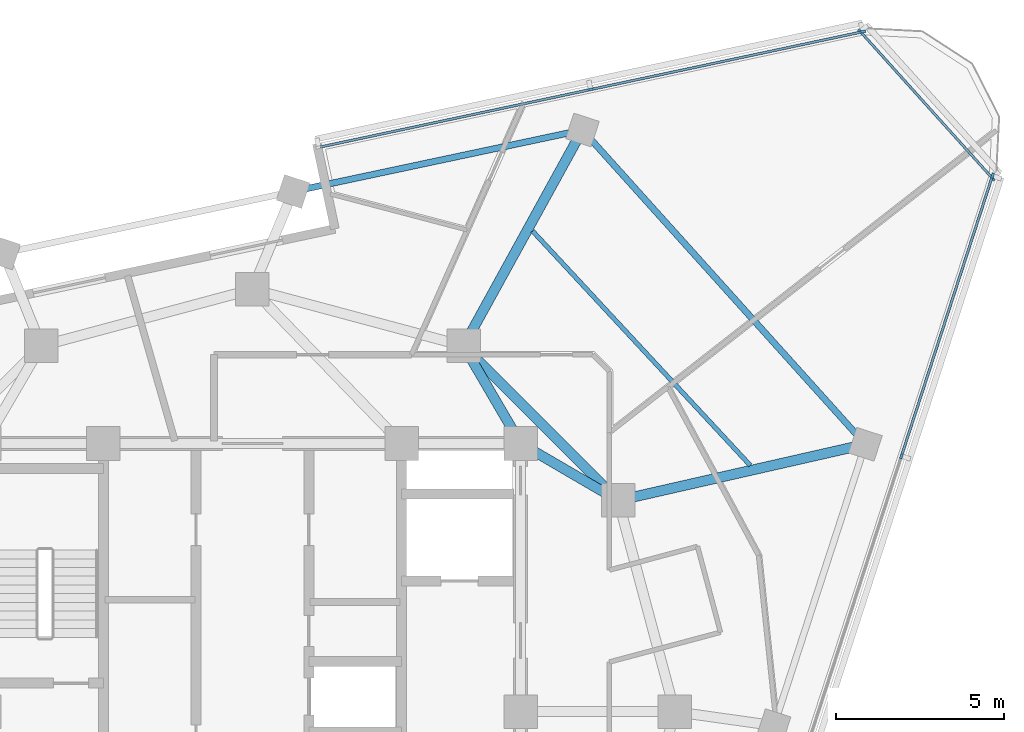
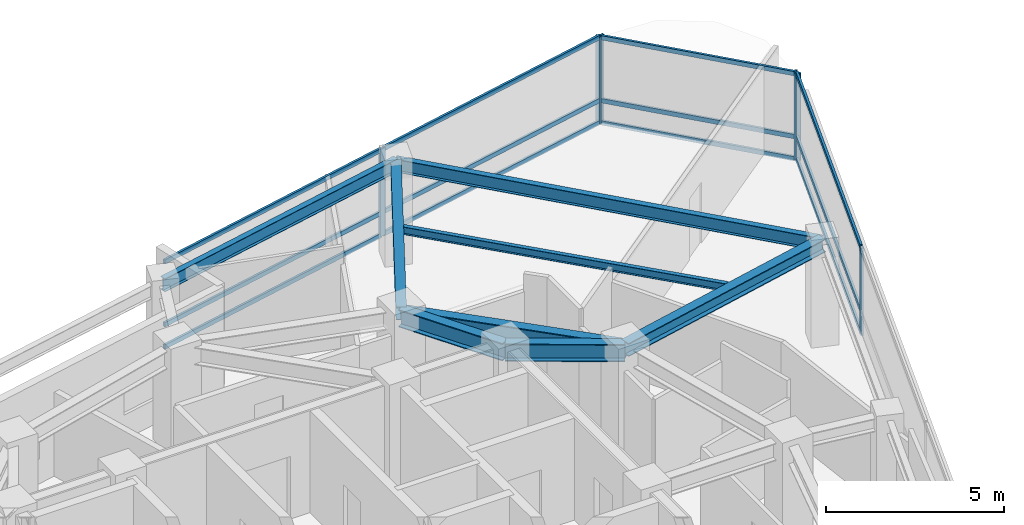
# One storey, part 6 of 15: 18 members, 8 beams, 3 elements without a shape of their own.
"""IFC4 building model written with IfcOpenShell, lengths in metres."""

from ifc_helpers import new_model, si_unit, direction, frame, origin, origin_2d, place, context, subcontext, project, spatial, rectangle, i_section, extrude, material, layer, layer_set, material_profile, profile_set, type_object, element, aggregate, save


model = new_model("IFC4")

# Units and contexts
model_context = context("Model", 3, precision=1e-05, world=origin(), true_north=direction((0.0, 1.0)))
body_context = subcontext(model_context, "Body", "Model", "MODEL_VIEW")
ifc_project = project(units=[si_unit("LENGTHUNIT", "METRE"), si_unit("AREAUNIT", "SQUARE_METRE"), si_unit("VOLUMEUNIT", "CUBIC_METRE"), si_unit("PLANEANGLEUNIT", "RADIAN"), si_unit("MASSUNIT", "GRAM", prefix="KILO")], contexts=[model_context])

# Site, building, storey
site_placement = place(None, origin())
site = spatial("IfcSite", under=ifc_project, at=site_placement, CompositionType="ELEMENT")
building_placement = place(site_placement, origin())
building = spatial("IfcBuilding", under=site, at=building_placement, Name="Terralouvre Media Tower", CompositionType="ELEMENT")
storey_placement = place(building_placement, frame((0.0, 0.0, 301.699951171875)))
storey = spatial("IfcBuildingStorey", under=building, at=storey_placement, Name="L78", CompositionType="ELEMENT", Elevation=301.699951171875)

# Beam
ifc_material_1 = material(Name="Structural steel S355J2", Category="steel")
ifc_material_profile_1 = material_profile(ifc_material_1, i_section(OverallWidth=0.135009765625, OverallDepth=0.27001953125, WebThickness=0.006591796875, FlangeThickness=0.01025390625, at=origin_2d()), Name="IPE 270")
ifc_profile_set_1 = profile_set([ifc_material_profile_1], Name="Structural steel S355J2")
beam_type_1 = type_object("IfcBeamType", Name="Composite Floor Joist J-IPE270 (IPE 270)", PredefinedType="JOIST", material=ifc_profile_set_1)
beam_1_placement = place(storey_placement, frame((14.85107421875, 7.34716796875, 3.364990234375), z_axis=(-0.680613949102, 0.732642240311, 0.0), x_axis=(-0.732642240311, -0.680613949102, 0.0)))
element("IfcBeam", 1, at=beam_1_placement, inside=storey, type_object=beam_type_1, Name="L78 Framing Beam JT-L78-04", PredefinedType="JOIST", context=body_context, shape_type="SweptSolid", body=[
    extrude(i_section(OverallWidth=0.135009765625, OverallDepth=0.27001953125, WebThickness=0.006591796875, FlangeThickness=0.01025390625, at=origin_2d()), origin(), (0.0, 0.0, 1.0), 9.54443359375),
])

# Curtain wall, members
ifc_material_2 = material(Name="Low-iron laminated double glazing with solar-control coating", Category="glass")
ifc_layer_1 = layer(ifc_material_2, 0.1650390625, Name="Faceted Glass-Point Crown Curtain Wall CW-06")
ifc_layer_set_1 = layer_set([ifc_layer_1], Name="Low-iron laminated double glazing with solar-control coating")
curtain_wall_type_1 = type_object("IfcCurtainWallType", Name="Faceted Glass-Point Crown Curtain Wall CW-06", PredefinedType="NOTDEFINED", material=ifc_layer_set_1)
curtain_wall_1_placement = place(storey_placement, origin())
curtain_wall_1 = element("IfcCurtainWall", 2, at=curtain_wall_1_placement, inside=storey, type_object=curtain_wall_type_1, Name="L78 Facade Curtain Wall F0", PredefinedType="NOTDEFINED")
ifc_material_3 = material(Name="Anodised extruded aluminium 6063-T6", Category="aluminium")
ifc_material_profile_2 = material_profile(ifc_material_3, rectangle(XDim=0.074951171875, YDim=0.14990234375, at=origin_2d()), Name="ALU 75x150")
ifc_profile_set_2 = profile_set([ifc_material_profile_2], Name="Anodised extruded aluminium 6063-T6")
member_type_1 = type_object("IfcMemberType", Name="Curtain-Wall Horizontal Transom TR-150", PredefinedType="USERDEFINED", material=ifc_profile_set_2)
member_1_placement = place(storey_placement, frame((19.372314453125, 7.662109375, 0.03759765625), z_axis=(0.309004958377, 0.951060426944, 0.0), x_axis=(-0.951060426944, 0.309004958377, 0.0)))
member_1 = element("IfcMember", 3, at=member_1_placement, type_object=member_type_1, Name="CW-06 transom 5.1", ObjectType="TRANSOM", PredefinedType="USERDEFINED", context=body_context, shape_type="SweptSolid", body=[
    extrude(rectangle(XDim=0.074951171875, YDim=0.14990234375, at=origin_2d()), origin(), (0.0, 0.0, 1.0), 8.71142578125),
])
member_2_placement = place(storey_placement, frame((19.372314453125, 7.662109375, 0.800048828125), z_axis=(0.309004958377, 0.951060426944, 0.0), x_axis=(-0.951060426944, 0.309004958377, 0.0)))
member_2 = element("IfcMember", 4, at=member_2_placement, type_object=member_type_1, Name="CW-06 transom 5.2", ObjectType="TRANSOM", PredefinedType="USERDEFINED", context=body_context, shape_type="SweptSolid", body=[
    extrude(rectangle(XDim=0.074951171875, YDim=0.14990234375, at=origin_2d()), origin(), (0.0, 0.0, 1.0), 8.71142578125),
])
member_3_placement = place(storey_placement, frame((19.372314453125, 7.662109375, 2.962646484375), z_axis=(0.309004958377, 0.951060426944, 0.0), x_axis=(-0.951060426944, 0.309004958377, 0.0)))
member_3 = element("IfcMember", 5, at=member_3_placement, type_object=member_type_1, Name="CW-06 transom 5.3", ObjectType="TRANSOM", PredefinedType="USERDEFINED", context=body_context, shape_type="SweptSolid", body=[
    extrude(rectangle(XDim=0.074951171875, YDim=0.14990234375, at=origin_2d()), origin(), (0.0, 0.0, 1.0), 8.71142578125),
])

curtain_wall_2_placement = place(storey_placement, origin())
curtain_wall_2 = element("IfcCurtainWall", 6, at=curtain_wall_2_placement, inside=storey, type_object=curtain_wall_type_1, Name="L78 Left Flank Curtain Wall F1", PredefinedType="NOTDEFINED")
member_4_placement = place(storey_placement, frame((18.166259765625, 20.2763671875, 0.03759765625), z_axis=(-0.978147598799, -0.207911699918, 0.0), x_axis=(0.207911699918, -0.978147598799, 0.0)))
member_4 = element("IfcMember", 7, at=member_4_placement, type_object=member_type_1, Name="CW-06 transom 1.1", ObjectType="TRANSOM", PredefinedType="USERDEFINED", context=body_context, shape_type="SweptSolid", body=[
    extrude(rectangle(XDim=0.074951171875, YDim=0.14990234375, at=origin_2d()), origin(), (0.0, 0.0, 1.0), 8.217529296875),
])
member_5_placement = place(storey_placement, frame((18.166259765625, 20.2763671875, 0.800048828125), z_axis=(-0.978147598799, -0.207911699918, 0.0), x_axis=(0.207911699918, -0.978147598799, 0.0)))
member_5 = element("IfcMember", 8, at=member_5_placement, type_object=member_type_1, Name="CW-06 transom 1.2", ObjectType="TRANSOM", PredefinedType="USERDEFINED", context=body_context, shape_type="SweptSolid", body=[
    extrude(rectangle(XDim=0.074951171875, YDim=0.14990234375, at=origin_2d()), origin(), (0.0, 0.0, 1.0), 8.217529296875),
])
member_6_placement = place(storey_placement, frame((18.166259765625, 20.2763671875, 2.962646484375), z_axis=(-0.978147598799, -0.207911699918, 0.0), x_axis=(0.207911699918, -0.978147598799, 0.0)))
member_6 = element("IfcMember", 9, at=member_6_placement, type_object=member_type_1, Name="CW-06 transom 1.3", ObjectType="TRANSOM", PredefinedType="USERDEFINED", context=body_context, shape_type="SweptSolid", body=[
    extrude(rectangle(XDim=0.074951171875, YDim=0.14990234375, at=origin_2d()), origin(), (0.0, 0.0, 1.0), 8.217529296875),
])
member_7_placement = place(storey_placement, frame((10.054931640625, 18.55224609375, 0.03759765625), z_axis=(-0.978147598799, -0.207911699918, 0.0), x_axis=(0.207911699918, -0.978147598799, 0.0)))
member_7 = element("IfcMember", 10, at=member_7_placement, type_object=member_type_1, Name="CW-06 transom 2.1", ObjectType="TRANSOM", PredefinedType="USERDEFINED", context=body_context, shape_type="SweptSolid", body=[
    extrude(rectangle(XDim=0.074951171875, YDim=0.14990234375, at=origin_2d()), origin(), (0.0, 0.0, 1.0), 8.217529296875),
])
member_8_placement = place(storey_placement, frame((10.054931640625, 18.55224609375, 0.800048828125), z_axis=(-0.978147598799, -0.207911699918, 0.0), x_axis=(0.207911699918, -0.978147598799, 0.0)))
member_8 = element("IfcMember", 11, at=member_8_placement, type_object=member_type_1, Name="CW-06 transom 2.2", ObjectType="TRANSOM", PredefinedType="USERDEFINED", context=body_context, shape_type="SweptSolid", body=[
    extrude(rectangle(XDim=0.074951171875, YDim=0.14990234375, at=origin_2d()), origin(), (0.0, 0.0, 1.0), 8.217529296875),
])
member_9_placement = place(storey_placement, frame((10.054931640625, 18.55224609375, 2.962646484375), z_axis=(-0.978147598799, -0.207911699918, 0.0), x_axis=(0.207911699918, -0.978147598799, 0.0)))
member_9 = element("IfcMember", 12, at=member_9_placement, type_object=member_type_1, Name="CW-06 transom 2.3", ObjectType="TRANSOM", PredefinedType="USERDEFINED", context=body_context, shape_type="SweptSolid", body=[
    extrude(rectangle(XDim=0.074951171875, YDim=0.14990234375, at=origin_2d()), origin(), (0.0, 0.0, 1.0), 8.217529296875),
])

ifc_material_4 = material(Name="Low-iron laminated double glazing with solar-control coating", Category="glass")
ifc_layer_2 = layer(ifc_material_4, 0.1650390625, Name="Rounded Wind-Corner Curved Glazing CW-04")
ifc_layer_set_2 = layer_set([ifc_layer_2], Name="Low-iron laminated double glazing with solar-control coating")
curtain_wall_type_2 = type_object("IfcCurtainWallType", Name="Rounded Wind-Corner Curved Glazing CW-04", PredefinedType="NOTDEFINED", material=ifc_layer_set_2)
curtain_wall_3_placement = place(storey_placement, origin())
curtain_wall_3 = element("IfcCurtainWall", 13, at=curtain_wall_3_placement, inside=storey, type_object=curtain_wall_type_2, Name="L78 Rounded Wind-Corner Curtain Wall C1", PredefinedType="NOTDEFINED")
member_10_placement = place(storey_placement, frame((22.04736328125, 15.943603515625, 0.03759765625), z_axis=(-0.669127275147, 0.743147824901, 0.0), x_axis=(-0.743147824901, -0.669127275147, 0.0)))
member_10 = element("IfcMember", 14, at=member_10_placement, type_object=member_type_1, Name="CW-04 transom 1.1", ObjectType="TRANSOM", PredefinedType="USERDEFINED", context=body_context, shape_type="SweptSolid", body=[
    extrude(rectangle(XDim=0.074951171875, YDim=0.14990234375, at=origin_2d()), origin(), (0.0, 0.0, 1.0), 5.808349609375),
])
member_11_placement = place(storey_placement, frame((22.04736328125, 15.943603515625, 0.800048828125), z_axis=(-0.669127275147, 0.743147824901, 0.0), x_axis=(-0.743147824901, -0.669127275147, 0.0)))
member_11 = element("IfcMember", 15, at=member_11_placement, type_object=member_type_1, Name="CW-04 transom 1.2", ObjectType="TRANSOM", PredefinedType="USERDEFINED", context=body_context, shape_type="SweptSolid", body=[
    extrude(rectangle(XDim=0.074951171875, YDim=0.14990234375, at=origin_2d()), origin(), (0.0, 0.0, 1.0), 5.808349609375),
])
member_12_placement = place(storey_placement, frame((22.04736328125, 15.943603515625, 2.962646484375), z_axis=(-0.669127275147, 0.743147824901, 0.0), x_axis=(-0.743147824901, -0.669127275147, 0.0)))
member_12 = element("IfcMember", 16, at=member_12_placement, type_object=member_type_1, Name="CW-04 transom 1.3", ObjectType="TRANSOM", PredefinedType="USERDEFINED", context=body_context, shape_type="SweptSolid", body=[
    extrude(rectangle(XDim=0.074951171875, YDim=0.14990234375, at=origin_2d()), origin(), (0.0, 0.0, 1.0), 5.808349609375),
])

# Member
ifc_material_5 = material(Name="Anodised extruded aluminium 6063-T6", Category="aluminium")
ifc_material_profile_3 = material_profile(ifc_material_5, rectangle(XDim=0.074951171875, YDim=0.179931640625, at=origin_2d()), Name="ALU 75x180")
ifc_profile_set_3 = profile_set([ifc_material_profile_3], Name="Anodised extruded aluminium 6063-T6")
member_type_2 = type_object("IfcMemberType", Name="Curtain-Wall Vertical Mullion ML-180", PredefinedType="MULLION", material=ifc_profile_set_3)
member_13_placement = place(storey_placement, frame((19.360595703125, 7.62646484375, 0.0), z_axis=(0.0, 0.0, 1.0), x_axis=(-0.951056507337, 0.309017021946, 0.0)))
member_13 = element("IfcMember", 17, at=member_13_placement, type_object=member_type_2, Name="CW-06 mullion 5", PredefinedType="MULLION", context=body_context, shape_type="SweptSolid", body=[
    extrude(rectangle(XDim=0.074951171875, YDim=0.179931640625, at=origin_2d()), origin(), (0.0, 0.0, 1.0), 3.0),
])

member_14_placement = place(storey_placement, frame((22.075927734375, 15.98291015625, 0.0), z_axis=(0.0, 0.0, 1.0), x_axis=(-0.951056507337, 0.309017021946, 0.0)))
member_14 = element("IfcMember", 18, at=member_14_placement, type_object=member_type_2, Name="CW-06 mullion 6", PredefinedType="MULLION", context=body_context, shape_type="SweptSolid", body=[
    extrude(rectangle(XDim=0.074951171875, YDim=0.179931640625, at=origin_2d()), origin(), (0.0, 0.0, 1.0), 3.0),
])

aggregate(curtain_wall_1, [member_13, member_14, member_1, member_2, member_3])

member_15_placement = place(storey_placement, frame((18.202880859375, 20.2841796875, 0.0), z_axis=(0.0, 0.0, 1.0), x_axis=(0.207911749648, -0.978147588229, 0.0)))
member_15 = element("IfcMember", 19, at=member_15_placement, type_object=member_type_2, Name="CW-06 mullion 1", PredefinedType="MULLION", context=body_context, shape_type="SweptSolid", body=[
    extrude(rectangle(XDim=0.074951171875, YDim=0.179931640625, at=origin_2d()), origin(), (0.0, 0.0, 1.0), 3.0),
])

member_16_placement = place(storey_placement, frame((10.091552734375, 18.56005859375, 0.0), z_axis=(0.0, 0.0, 1.0), x_axis=(0.207911749648, -0.978147588229, 0.0)))
member_16 = element("IfcMember", 20, at=member_16_placement, type_object=member_type_2, Name="CW-06 mullion 2", PredefinedType="MULLION", context=body_context, shape_type="SweptSolid", body=[
    extrude(rectangle(XDim=0.074951171875, YDim=0.179931640625, at=origin_2d()), origin(), (0.0, 0.0, 1.0), 3.0),
])

aggregate(curtain_wall_2, [member_15, member_16, member_4, member_5, member_6, member_7, member_8, member_9])

member_17_placement = place(storey_placement, frame((22.072509765625, 15.915771484375, 0.0), z_axis=(0.0, 0.0, 1.0), x_axis=(-0.743145163279, -0.669130231192, 0.0)))
member_17 = element("IfcMember", 21, at=member_17_placement, type_object=member_type_2, Name="CW-04 mullion 1", PredefinedType="MULLION", context=body_context, shape_type="SweptSolid", body=[
    extrude(rectangle(XDim=0.074951171875, YDim=0.179931640625, at=origin_2d()), origin(), (0.0, 0.0, 1.0), 3.0),
])

member_18_placement = place(storey_placement, frame((18.1357421875, 20.287841796875, 0.0), z_axis=(0.0, 0.0, 1.0), x_axis=(-0.743145163279, -0.669130231192, 0.0)))
member_18 = element("IfcMember", 22, at=member_18_placement, type_object=member_type_2, Name="CW-04 mullion 2", PredefinedType="MULLION", context=body_context, shape_type="SweptSolid", body=[
    extrude(rectangle(XDim=0.074951171875, YDim=0.179931640625, at=origin_2d()), origin(), (0.0, 0.0, 1.0), 3.0),
])

aggregate(curtain_wall_3, [member_17, member_18, member_10, member_11, member_12])

# Beams
ifc_material_6 = material(Name="Structural steel S355J2", Category="steel")
ifc_material_profile_4 = material_profile(ifc_material_6, i_section(OverallWidth=0.18994140625, OverallDepth=0.449951171875, WebThickness=0.009521484375, FlangeThickness=0.0146484375, at=origin_2d()), Name="IPE 450")
ifc_profile_set_4 = profile_set([ifc_material_profile_4], Name="Structural steel S355J2")
beam_type_2 = type_object("IfcBeamType", Name="Perimeter Spandrel Beam SPB-450 (IPE 450)", PredefinedType="SPANDREL", material=ifc_profile_set_4)
beam_2_placement = place(storey_placement, frame((18.285888671875, 7.975830078125, 3.275146484375), z_axis=(-0.669130421256, 0.743144992144, 0.0), x_axis=(-0.743144992144, -0.669130421256, 0.0)))
element("IfcBeam", 23, at=beam_2_placement, inside=storey, type_object=beam_type_2, Name="L78 Framing Beam BM-L78-PR08", PredefinedType="SPANDREL", context=body_context, shape_type="SweptSolid", body=[
    extrude(i_section(OverallWidth=0.18994140625, OverallDepth=0.449951171875, WebThickness=0.009521484375, FlangeThickness=0.0146484375, at=origin_2d()), origin(), (0.0, 0.0, 1.0), 12.616943359375),
])
beam_3_placement = place(storey_placement, frame((9.843505859375, 17.35205078125, 3.275146484375), z_axis=(-0.978151678083, -0.207892507471, 0.0), x_axis=(0.207892507471, -0.978151678083, 0.0)))
element("IfcBeam", 24, at=beam_3_placement, inside=storey, type_object=beam_type_2, Name="L78 Framing Beam BM-L78-PR09", PredefinedType="SPANDREL", context=body_context, shape_type="SweptSolid", body=[
    extrude(i_section(OverallWidth=0.18994140625, OverallDepth=0.449951171875, WebThickness=0.009521484375, FlangeThickness=0.0146484375, at=origin_2d()), origin(), (0.0, 0.0, 1.0), 8.82421875),
])
ifc_material_7 = material(Name="Structural steel S355J2", Category="steel")
ifc_material_profile_5 = material_profile(ifc_material_7, i_section(OverallWidth=0.300048828125, OverallDepth=0.449951171875, WebThickness=0.013916015625, FlangeThickness=0.02587890625, at=origin_2d()), Name="HEB 450")
ifc_profile_set_5 = profile_set([ifc_material_profile_5], Name="Structural steel S355J2")
beam_type_3 = type_object("IfcBeamType", Name="Primary Floor Girder B-HEB450 (HEB 450)", PredefinedType="BEAM", material=ifc_profile_set_5)
beam_4_placement = place(storey_placement, frame((10.911865234375, 6.300048828125, 3.275146484375), z_axis=(0.975136661347, 0.221604358479, 0.0), x_axis=(-0.221604358479, 0.975136661347, 0.0)))
element("IfcBeam", 25, at=beam_4_placement, inside=storey, type_object=beam_type_3, Name="L78 Framing Beam BM-L78-RD08", PredefinedType="BEAM", context=body_context, shape_type="SweptSolid", body=[
    extrude(i_section(OverallWidth=0.300048828125, OverallDepth=0.449951171875, WebThickness=0.013916015625, FlangeThickness=0.02587890625, at=origin_2d()), origin(), (0.0, 0.0, 1.0), 7.56201171875),
])
beam_5_placement = place(storey_placement, frame((6.300048828125, 10.911865234375, 3.275146484375), z_axis=(0.482060267282, 0.876138059159, 0.0), x_axis=(-0.876138059159, 0.482060267282, 0.0)))
element("IfcBeam", 26, at=beam_5_placement, inside=storey, type_object=beam_type_3, Name="L78 Framing Beam BM-L78-RD09", PredefinedType="BEAM", context=body_context, shape_type="SweptSolid", body=[
    extrude(i_section(OverallWidth=0.300048828125, OverallDepth=0.449951171875, WebThickness=0.013916015625, FlangeThickness=0.02587890625, at=origin_2d()), origin(), (0.0, 0.0, 1.0), 7.3505859375),
])
ifc_material_8 = material(Name="Structural steel S460M", Category="steel")
ifc_material_profile_6 = material_profile(ifc_material_8, i_section(OverallWidth=0.300048828125, OverallDepth=0.60009765625, WebThickness=0.015380859375, FlangeThickness=0.030029296875, at=origin_2d()), Name="HEB 600")
ifc_profile_set_6 = profile_set([ifc_material_profile_6], Name="Structural steel S460M")
beam_type_4 = type_object("IfcBeamType", Name="Primary Floor Girder B-HEB600 (HEB 600)", PredefinedType="BEAM", material=ifc_profile_set_6)
beam_6_placement = place(storey_placement, frame((10.911865234375, 6.300048828125, 3.199951171875), z_axis=(-0.707106781187, 0.707106781187, 0.0), x_axis=(-0.707106781187, -0.707106781187, 0.0)))
element("IfcBeam", 27, at=beam_6_placement, inside=storey, type_object=beam_type_4, Name="L78 Framing Beam BM-L78-MR07", PredefinedType="BEAM", context=body_context, shape_type="SweptSolid", body=[
    extrude(i_section(OverallWidth=0.300048828125, OverallDepth=0.60009765625, WebThickness=0.015380859375, FlangeThickness=0.030029296875, at=origin_2d()), origin(), (0.0, 0.0, 1.0), 6.52197265625),
])
for number, where, z_axis, x_axis, name in (
    (28, (8.0, 8.0, 3.199951171875), (0.863602894532, -0.504172629717, 0.0), (0.504172629717, 0.863602894532, 0.0), "L78 Framing Beam BM-L78-CM07"),
    (29, (8.0, 8.0, 3.199951171875), (-0.504172629717, 0.863602894532, 0.0), (-0.863602894532, -0.504172629717, 0.0), "L78 Framing Beam BM-L78-CM08"),
):
    element("IfcBeam", number, at=place(storey_placement, frame(where, z_axis=z_axis, x_axis=x_axis)), inside=storey, type_object=beam_type_4, Name=name, PredefinedType="BEAM", context=body_context, shape_type="SweptSolid", body=[
        extrude(i_section(OverallWidth=0.300048828125, OverallDepth=0.60009765625, WebThickness=0.015380859375, FlangeThickness=0.030029296875, at=origin_2d()), origin(), (0.0, 0.0, 1.0), 3.371826171875),
    ])

save(model, "model.ifc")
